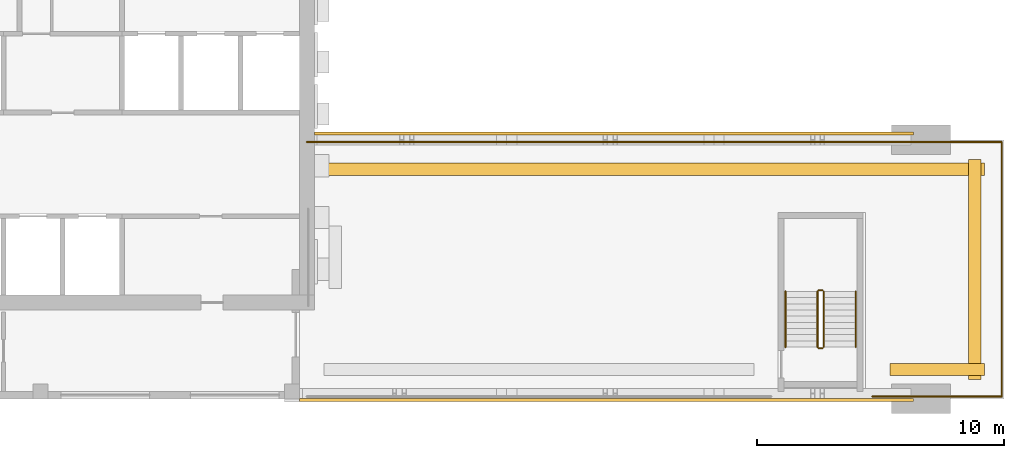
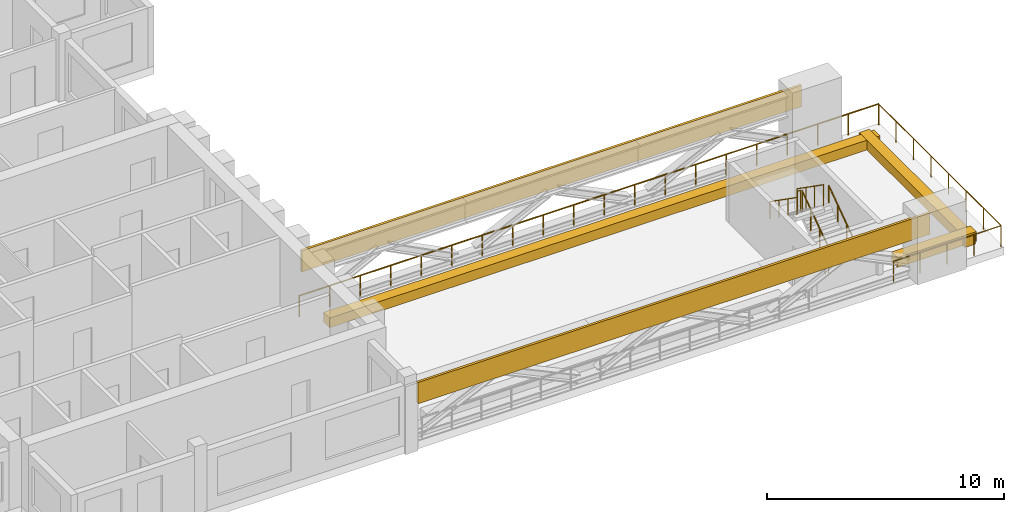
# One storey, part 8 of 9: 9 railings, 5 coverings.
"""IFC4 building model written with IfcOpenShell, lengths in metres."""

from ifc_helpers import new_model, si_unit, direction, frame, origin, origin_2d, place, context, subcontext, project, spatial, rectangle, circle, extrude, source, transform, mapped, material, type_object, element, save


model = new_model("IFC4")

# Units and contexts
model_context = context("Model", 3, precision=1e-05, world=origin(), true_north=direction((0.0, 1.0)))
body_context = subcontext(model_context, "Body", "Model", "MODEL_VIEW")
ifc_project = project(units=[si_unit("LENGTHUNIT", "METRE"), si_unit("AREAUNIT", "SQUARE_METRE"), si_unit("VOLUMEUNIT", "CUBIC_METRE"), si_unit("PLANEANGLEUNIT", "RADIAN"), si_unit("MASSUNIT", "GRAM", prefix="KILO")], contexts=[model_context])

# Site, building, storey
site_placement = place(None, origin())
site = spatial("IfcSite", under=ifc_project, at=site_placement, CompositionType="ELEMENT")
building_placement = place(site_placement, origin())
building = spatial("IfcBuilding", under=site, at=building_placement, Name="Aurelian Terraces", CompositionType="ELEMENT")
storey_placement = place(building_placement, frame((0.0, 0.0, 351.0)))
storey = spatial("IfcBuildingStorey", under=building, at=storey_placement, Name="L83", CompositionType="ELEMENT", Elevation=351.0)

# Railing
ifc_material_1 = material(Name="Anodised aluminium", Category="aluminium")
railing_type_1 = type_object("IfcRailingType", Name="GUARD-1100", PredefinedType="GUARDRAIL", material=ifc_material_1)
railing_1_placement = place(storey_placement, frame((21.3, 10.41, 0.0)))
element("IfcRailing", 1, at=railing_1_placement, inside=storey, type_object=railing_type_1, Name="Terrace guard L83 PORTAL-U1.2", PredefinedType="GUARDRAIL", context=body_context, shape_type="SweptSolid", body=[
    extrude(circle(Radius=0.024, at=origin_2d()), frame((0.0, 0.0, 1.076), z_axis=(1.0, 0.0, 0.0), x_axis=(0.0, 1.0, 0.0)), (0.0, 0.0, 1.0), 28.17),
    extrude(circle(Radius=0.021, at=origin_2d()), origin(), (0.0, 0.0, 1.0), 1.052),
    extrude(circle(Radius=0.021, at=origin_2d()), frame((1.4826, 0.0, 0.0)), (0.0, 0.0, 1.0), 1.052),
    extrude(circle(Radius=0.021, at=origin_2d()), frame((2.9653, 0.0, 0.0)), (0.0, 0.0, 1.0), 1.052),
    extrude(circle(Radius=0.021, at=origin_2d()), frame((4.4479, 0.0, 0.0)), (0.0, 0.0, 1.0), 1.052),
    extrude(circle(Radius=0.021, at=origin_2d()), frame((5.9305, 0.0, 0.0)), (0.0, 0.0, 1.0), 1.052),
    extrude(circle(Radius=0.021, at=origin_2d()), frame((7.4132, 0.0, 0.0)), (0.0, 0.0, 1.0), 1.052),
    extrude(circle(Radius=0.021, at=origin_2d()), frame((8.8958, 0.0, 0.0)), (0.0, 0.0, 1.0), 1.052),
    extrude(circle(Radius=0.021, at=origin_2d()), frame((10.3784, 0.0, 0.0)), (0.0, 0.0, 1.0), 1.052),
    extrude(circle(Radius=0.021, at=origin_2d()), frame((11.8611, 0.0, 0.0)), (0.0, 0.0, 1.0), 1.052),
    extrude(circle(Radius=0.021, at=origin_2d()), frame((13.3437, 0.0, 0.0)), (0.0, 0.0, 1.0), 1.052),
    extrude(circle(Radius=0.021, at=origin_2d()), frame((14.8263, 0.0, 0.0)), (0.0, 0.0, 1.0), 1.052),
    extrude(circle(Radius=0.021, at=origin_2d()), frame((16.3089, 0.0, 0.0)), (0.0, 0.0, 1.0), 1.052),
    extrude(circle(Radius=0.021, at=origin_2d()), frame((17.7916, 0.0, 0.0)), (0.0, 0.0, 1.0), 1.052),
    extrude(circle(Radius=0.021, at=origin_2d()), frame((19.2742, 0.0, 0.0)), (0.0, 0.0, 1.0), 1.052),
    extrude(circle(Radius=0.021, at=origin_2d()), frame((20.7568, 0.0, 0.0)), (0.0, 0.0, 1.0), 1.052),
    extrude(circle(Radius=0.021, at=origin_2d()), frame((22.2395, 0.0, 0.0)), (0.0, 0.0, 1.0), 1.052),
    extrude(circle(Radius=0.021, at=origin_2d()), frame((23.7221, 0.0, 0.0)), (0.0, 0.0, 1.0), 1.052),
    extrude(circle(Radius=0.021, at=origin_2d()), frame((25.2047, 0.0, 0.0)), (0.0, 0.0, 1.0), 1.052),
    extrude(circle(Radius=0.021, at=origin_2d()), frame((26.6874, 0.0, 0.0)), (0.0, 0.0, 1.0), 1.052),
    extrude(circle(Radius=0.021, at=origin_2d()), frame((28.17, 0.0, 0.0)), (0.0, 0.0, 1.0), 1.052),
])

# Coverings
ifc_material_2 = material(Name="Terracotta planter with planting soil", Category="masonry")
covering_type_1 = type_object("IfcCoveringType", Name="PLANTER-TROUGH", PredefinedType="USERDEFINED", material=ifc_material_2)
covering_1_placement = place(storey_placement, frame((35.385, 9.31, 0.0), z_axis=(0.0, 0.0, 1.0), x_axis=(1.0, 0.0, 0.0)))
element("IfcCovering", 2, at=covering_1_placement, inside=storey, type_object=covering_type_1, Name="PLANTER L83 terrace PORTAL-U1-1.1", ObjectType="PLANTER", PredefinedType="USERDEFINED", context=body_context, shape_type="SweptSolid", body=[
    extrude(rectangle(XDim=26.77, YDim=0.5, at=origin_2d()), origin(), (0.0, 0.0, 1.0), 0.5),
])
ifc_material_3 = material(Name="Powder-coated aluminium panel", Category="aluminium")
covering_type_2 = type_object("IfcCoveringType", Name="PORTAL FASCIA PANEL", PredefinedType="CLADDING", material=ifc_material_3)
covering_2_placement = place(storey_placement, frame((33.45, -0.0544, 2.0078), z_axis=(0.0, 0.0, 1.0), x_axis=(1.0, 0.0, 0.0)))
element("IfcCovering", 3, at=covering_2_placement, inside=storey, type_object=covering_type_2, Name="Portal fascia panel", PredefinedType="CLADDING", context=body_context, shape_type="SweptSolid", body=[
    extrude(rectangle(XDim=24.9, YDim=0.12, at=origin_2d()), origin(), (0.0, 0.0, 1.0), 1.0922),
])
covering_3_placement = place(storey_placement, frame((33.75, 10.7645, 2.0078), z_axis=(0.0, 0.0, 1.0), x_axis=(1.0, 0.0, 0.0)))
element("IfcCovering", 4, at=covering_3_placement, inside=storey, type_object=covering_type_2, Name="Portal fascia panel", PredefinedType="CLADDING", context=body_context, shape_type="SweptSolid", body=[
    extrude(rectangle(XDim=24.3, YDim=0.12, at=origin_2d()), origin(), (0.0, 0.0, 1.0), 1.0922),
])

# Railing
shared_shape_1 = source(origin(), body_context, "Body", "SweptSolid", [
    extrude(circle(Radius=0.024, at=origin_2d()), frame((0.0, 0.0, 1.076), z_axis=(0.0, -1.0, 0.0), x_axis=(1.0, 0.0, 0.0)), (0.0, 0.0, 1.0), 10.32),
    extrude(circle(Radius=0.021, at=origin_2d()), origin(), (0.0, 0.0, 1.0), 1.052),
    extrude(circle(Radius=0.021, at=origin_2d()), frame((0.0, -1.4743, 0.0)), (0.0, 0.0, 1.0), 1.052),
    extrude(circle(Radius=0.021, at=origin_2d()), frame((0.0, -2.9486, 0.0)), (0.0, 0.0, 1.0), 1.052),
    extrude(circle(Radius=0.021, at=origin_2d()), frame((0.0, -4.4229, 0.0)), (0.0, 0.0, 1.0), 1.052),
    extrude(circle(Radius=0.021, at=origin_2d()), frame((0.0, -5.8971, 0.0)), (0.0, 0.0, 1.0), 1.052),
    extrude(circle(Radius=0.021, at=origin_2d()), frame((0.0, -7.3714, 0.0)), (0.0, 0.0, 1.0), 1.052),
    extrude(circle(Radius=0.021, at=origin_2d()), frame((0.0, -8.8457, 0.0)), (0.0, 0.0, 1.0), 1.052),
    extrude(circle(Radius=0.021, at=origin_2d()), frame((0.0, -10.32, 0.0)), (0.0, 0.0, 1.0), 1.052),
])
railing_2_placement = place(storey_placement, frame((49.47, 10.41, 0.0)))
element("IfcRailing", 5, at=railing_2_placement, inside=storey, type_object=railing_type_1, Name="Terrace guard L83 PORTAL-U1.3", PredefinedType="GUARDRAIL", context=body_context, shape_type="MappedRepresentation", body=[
    mapped(shared_shape_1, transform((0.0, 0.0, 0.0), scale=1.0)),
])

# Covering
shared_shape_2 = source(origin(), body_context, "Body", "SweptSolid", [
    extrude(rectangle(XDim=0.5, YDim=8.92, at=origin_2d()), origin(), (0.0, 0.0, 1.0), 0.5),
])
covering_4_placement = place(storey_placement, frame((48.37, 5.25, 0.0), z_axis=(0.0, 0.0, 1.0), x_axis=(1.0, 0.0, 0.0)))
element("IfcCovering", 6, at=covering_4_placement, inside=storey, type_object=covering_type_1, Name="PLANTER L83 terrace PORTAL-U1-2.1", ObjectType="PLANTER", PredefinedType="USERDEFINED", context=body_context, shape_type="MappedRepresentation", body=[
    mapped(shared_shape_2, transform((0.0, 0.0, 0.0), scale=1.0)),
])

# Railing
shared_shape_3 = source(origin(), body_context, "Body", "SweptSolid", [
    extrude(circle(Radius=0.024, at=origin_2d()), frame((0.0, 0.0, 1.076), z_axis=(-1.0, 0.0, 0.0), x_axis=(0.0, -1.0, 0.0)), (0.0, 0.0, 1.0), 5.2411),
    extrude(circle(Radius=0.021, at=origin_2d()), origin(), (0.0, 0.0, 1.0), 1.052),
    extrude(circle(Radius=0.021, at=origin_2d()), frame((-1.3103, 0.0, 0.0)), (0.0, 0.0, 1.0), 1.052),
    extrude(circle(Radius=0.021, at=origin_2d()), frame((-2.6205, 0.0, 0.0)), (0.0, 0.0, 1.0), 1.052),
    extrude(circle(Radius=0.021, at=origin_2d()), frame((-3.9308, 0.0, 0.0)), (0.0, 0.0, 1.0), 1.052),
    extrude(circle(Radius=0.021, at=origin_2d()), frame((-5.2411, 0.0, 0.0)), (0.0, 0.0, 1.0), 1.052),
])
railing_3_placement = place(storey_placement, frame((49.47, 0.09, 0.0)))
element("IfcRailing", 7, at=railing_3_placement, inside=storey, type_object=railing_type_1, Name="Terrace guard L83 PORTAL-U1.4", PredefinedType="GUARDRAIL", context=body_context, shape_type="MappedRepresentation", body=[
    mapped(shared_shape_3, transform((0.0, 0.0, 0.0), scale=1.0)),
])

# Covering
shared_shape_4 = source(origin(), body_context, "Body", "SweptSolid", [
    extrude(rectangle(XDim=3.8411, YDim=0.5, at=origin_2d()), origin(), (0.0, 0.0, 1.0), 0.5),
])
covering_5_placement = place(storey_placement, frame((46.8494, 1.19, 0.0), z_axis=(0.0, 0.0, 1.0), x_axis=(1.0, 0.0, 0.0)))
element("IfcCovering", 8, at=covering_5_placement, inside=storey, type_object=covering_type_1, Name="PLANTER L83 terrace PORTAL-U1-3.1", ObjectType="PLANTER", PredefinedType="USERDEFINED", context=body_context, shape_type="MappedRepresentation", body=[
    mapped(shared_shape_4, transform((0.0, 0.0, 0.0), scale=1.0)),
])

# Railings
ifc_material_4 = material(Name="Stainless steel", Category="steel")
railing_type_2 = type_object("IfcRailingType", Name="Stair guard 1100", PredefinedType="GUARDRAIL", material=ifc_material_4)
shared_shape_5 = source(origin(), body_context, "Body", "SweptSolid", [
    extrude(circle(Radius=0.024, at=origin_2d()), frame((0.0, 0.0, 1.076), z_axis=(-1.0, 0.0, 0.0), x_axis=(0.0, -1.0, 0.0)), (0.0, 0.0, 1.0), 0.15),
    extrude(circle(Radius=0.021, at=origin_2d()), origin(), (0.0, 0.0, 1.0), 1.052),
    extrude(circle(Radius=0.021, at=origin_2d()), frame((-0.15, 0.0, 0.0)), (0.0, 0.0, 1.0), 1.052),
])
for number, where, name in (
    (9, (42.2, 4.4, 1.75), "L83 S2 stair guard 2"),
    (10, (42.2, 2.05, 0.0), "L83 S2 stair guard 4"),
):
    element("IfcRailing", number, at=place(storey_placement, frame(where)), inside=storey, type_object=railing_type_2, Name=name, PredefinedType="GUARDRAIL", context=body_context, shape_type="MappedRepresentation", body=[
        mapped(shared_shape_5, transform((0.0, 0.0, 0.0), scale=1.0)),
    ])
shared_shape_6 = source(origin(), body_context, "Body", "SweptSolid", [
    extrude(circle(Radius=0.024, at=origin_2d()), frame((0.0, 0.0, 1.076), z_axis=(0.0, 0.819231920519, 0.573462344363), x_axis=(-1.0, 0.0, 0.0)), (0.0, 0.0, 1.0), 2.7465),
    extrude(circle(Radius=0.021, at=origin_2d()), origin(), (0.0, 0.0, 1.0), 1.052),
    extrude(circle(Radius=0.021, at=origin_2d()), frame((0.0, 0.75, 0.525)), (0.0, 0.0, 1.0), 1.052),
    extrude(circle(Radius=0.021, at=origin_2d()), frame((0.0, 1.5, 1.05)), (0.0, 0.0, 1.0), 1.052),
    extrude(circle(Radius=0.021, at=origin_2d()), frame((0.0, 2.25, 1.575)), (0.0, 0.0, 1.0), 1.052),
])
railing_4_placement = place(storey_placement, frame((42.25, 2.1, 0.175)))
element("IfcRailing", 11, at=railing_4_placement, inside=storey, type_object=railing_type_2, Name="L83 S2 stair guard 1", PredefinedType="GUARDRAIL", context=body_context, shape_type="MappedRepresentation", body=[
    mapped(shared_shape_6, transform((0.0, 0.0, 0.0), scale=1.0)),
])
shared_shape_7 = source(origin(), body_context, "Body", "SweptSolid", [
    extrude(circle(Radius=0.024, at=origin_2d()), frame((0.0, 0.0, 1.076), z_axis=(0.0, -0.819231920519, 0.573462344363), x_axis=(1.0, 0.0, 0.0)), (0.0, 0.0, 1.0), 2.7465),
    extrude(circle(Radius=0.021, at=origin_2d()), origin(), (0.0, 0.0, 1.0), 1.052),
    extrude(circle(Radius=0.021, at=origin_2d()), frame((0.0, -0.75, 0.525)), (0.0, 0.0, 1.0), 1.052),
    extrude(circle(Radius=0.021, at=origin_2d()), frame((0.0, -1.5, 1.05)), (0.0, 0.0, 1.0), 1.052),
    extrude(circle(Radius=0.021, at=origin_2d()), frame((0.0, -2.25, 1.575)), (0.0, 0.0, 1.0), 1.052),
])
railing_5_placement = place(storey_placement, frame((42.0, 4.35, 1.925)))
element("IfcRailing", 12, at=railing_5_placement, inside=storey, type_object=railing_type_2, Name="L83 S2 stair guard 3", PredefinedType="GUARDRAIL", context=body_context, shape_type="MappedRepresentation", body=[
    mapped(shared_shape_7, transform((0.0, 0.0, 0.0), scale=1.0)),
])
railing_type_3 = type_object("IfcRailingType", Name="Stair handrail", PredefinedType="HANDRAIL", material=ifc_material_4)
shared_shape_8 = source(origin(), body_context, "Body", "SweptSolid", [
    extrude(circle(Radius=0.024, at=origin_2d()), frame((0.0, 0.0, 0.876), z_axis=(0.0, 0.819231920519, 0.573462344363), x_axis=(-1.0, 0.0, 0.0)), (0.0, 0.0, 1.0), 2.7465),
    extrude(circle(Radius=0.021, at=origin_2d()), origin(), (0.0, 0.0, 1.0), 0.852),
    extrude(circle(Radius=0.021, at=origin_2d()), frame((0.0, 0.75, 0.525)), (0.0, 0.0, 1.0), 0.852),
    extrude(circle(Radius=0.021, at=origin_2d()), frame((0.0, 1.5, 1.05)), (0.0, 0.0, 1.0), 0.852),
    extrude(circle(Radius=0.021, at=origin_2d()), frame((0.0, 2.25, 1.575)), (0.0, 0.0, 1.0), 0.852),
])
railing_6_placement = place(storey_placement, frame((43.55, 2.1, 0.175)))
element("IfcRailing", 13, at=railing_6_placement, inside=storey, type_object=railing_type_3, Name="L83 S2 stair handrail 1", PredefinedType="HANDRAIL", context=body_context, shape_type="MappedRepresentation", body=[
    mapped(shared_shape_8, transform((0.0, 0.0, 0.0), scale=1.0)),
])
shared_shape_9 = source(origin(), body_context, "Body", "SweptSolid", [
    extrude(circle(Radius=0.024, at=origin_2d()), frame((0.0, 0.0, 0.876), z_axis=(0.0, -0.819231920519, 0.573462344363), x_axis=(1.0, 0.0, 0.0)), (0.0, 0.0, 1.0), 2.7465),
    extrude(circle(Radius=0.021, at=origin_2d()), origin(), (0.0, 0.0, 1.0), 0.852),
    extrude(circle(Radius=0.021, at=origin_2d()), frame((0.0, -0.75, 0.525)), (0.0, 0.0, 1.0), 0.852),
    extrude(circle(Radius=0.021, at=origin_2d()), frame((0.0, -1.5, 1.05)), (0.0, 0.0, 1.0), 0.852),
    extrude(circle(Radius=0.021, at=origin_2d()), frame((0.0, -2.25, 1.575)), (0.0, 0.0, 1.0), 0.852),
])
railing_7_placement = place(storey_placement, frame((40.7, 4.35, 1.925)))
element("IfcRailing", 14, at=railing_7_placement, inside=storey, type_object=railing_type_3, Name="L83 S2 stair handrail 2", PredefinedType="HANDRAIL", context=body_context, shape_type="MappedRepresentation", body=[
    mapped(shared_shape_9, transform((0.0, 0.0, 0.0), scale=1.0)),
])

save(model, "model.ifc")
